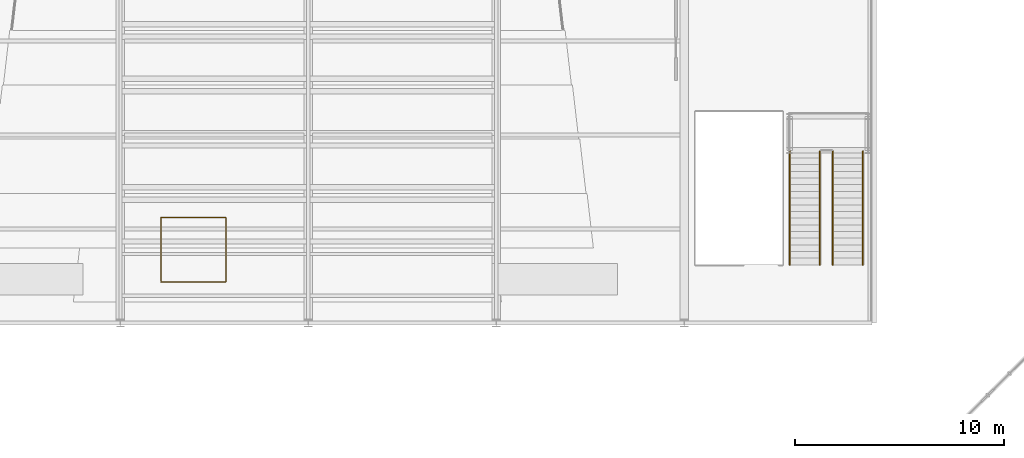
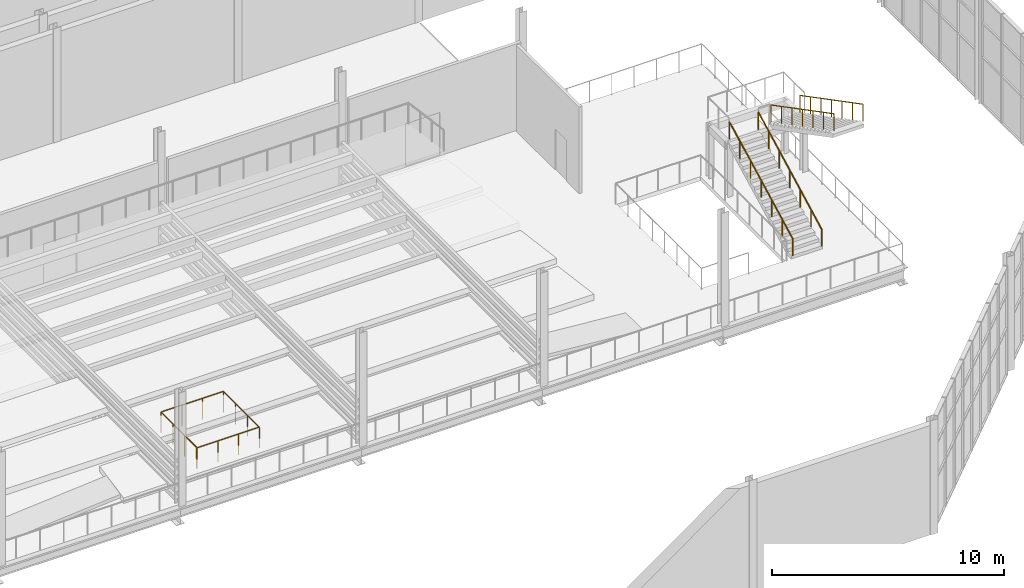
# One storey, part 139 of 159: 5 railings.
"""IFC4 building model written with IfcOpenShell, lengths in metres."""

import ifcopenshell
import ifcopenshell.guid

model = None  # the IFC model being written
_history = None  # IfcOwnerHistory: only IFC2X3 demands one
_inside = {}  # id of a spatial element -> (the spatial element, [elements in it])
_under = {}  # id of a project, library or spatial element -> (it, [spatial elements below it])
_declared = {}  # id of a project -> (the project, [libraries it declares])
_typed = {}  # id of a type object -> (the type object, [elements of that type])
_made_of = {}  # id of a material, layer set ... -> (it, [elements and type objects made of it])


def new_model(schema):
    """Start an empty IFC model of exactly this schema.

    Asked for "IFC4X3", IfcOpenShell would pick the latest addendum, in which some entities
    have other attributes; the version numbers below select the first issue.
    IFC2X3 requires an IfcOwnerHistory on every rooted entity: one is made here for all.
    """
    global model, _history
    if schema == "IFC4X3":
        model = ifcopenshell.file(schema_version=(4, 3, 0, 0))
    else:
        model = ifcopenshell.file(schema=schema)
    _inside.clear()
    _under.clear()
    _declared.clear()
    _typed.clear()
    _made_of.clear()
    _history = None
    if model.schema == "IFC2X3":
        org = make("IfcOrganization", Name="unknown")
        user = make(
            "IfcPersonAndOrganization",
            ThePerson=make("IfcPerson", FamilyName="unknown"),
            TheOrganization=org,
        )
        app = make(
            "IfcApplication",
            ApplicationDeveloper=org,
            Version="unknown",
            ApplicationFullName="unknown",
            ApplicationIdentifier="unknown",
        )
        _history = make(
            "IfcOwnerHistory",
            OwningUser=user,
            OwningApplication=app,
            ChangeAction="ADDED",
            CreationDate=0,
        )
    return model


def make(cls, **values):
    """One entity of the class cls with the attributes given. An attribute that is None is left unset."""
    return model.create_entity(
        cls, **{name: value for name, value in values.items() if value is not None}
    )


def rooted(cls, **values):
    """An entity with a GlobalId (a new one), such as an element, a storey or a relation."""
    return make(cls, GlobalId=ifcopenshell.guid.new(), OwnerHistory=_history, **values)


def si_unit(unit_type, name, prefix=None):
    """IfcSIUnit, for example si_unit("LENGTHUNIT", "METRE", prefix="MILLI")."""
    return make("IfcSIUnit", UnitType=unit_type, Prefix=prefix, Name=name)


def assignment(units):
    """IfcUnitAssignment: the units of a project."""
    return None if units is None else make("IfcUnitAssignment", Units=units)


def point(xyz):
    """IfcCartesianPoint."""
    return None if xyz is None else make("IfcCartesianPoint", Coordinates=xyz)


def direction(xyz):
    """IfcDirection."""
    return None if xyz is None else make("IfcDirection", DirectionRatios=xyz)


def frame(location, z_axis=None, x_axis=None):
    """IfcAxis2Placement3D, a coordinate frame: its origin and axes. An axis left out is left unset."""
    return make(
        "IfcAxis2Placement3D",
        Location=point(location),
        Axis=direction(z_axis),
        RefDirection=direction(x_axis),
    )


def frame_2d(location, x_axis=None):
    """IfcAxis2Placement2D, a coordinate frame in the plane: its origin and x axis."""
    return make(
        "IfcAxis2Placement2D", Location=point(location), RefDirection=direction(x_axis)
    )


def origin():
    """The frame at (0, 0, 0) with its axes left unset."""
    return frame((0.0, 0.0, 0.0))


def origin_2d():
    """The frame at (0, 0) in the plane with its x axis left unset."""
    return frame_2d((0.0, 0.0))


def place(relative_to, where):
    """IfcLocalPlacement: puts the frame where relative to a parent placement (None: the world)."""
    return make(
        "IfcLocalPlacement", PlacementRelTo=relative_to, RelativePlacement=where
    )


def context(
    kind, dimensions, precision=None, world=None, true_north=None, identifier=None
):
    """IfcGeometricRepresentationContext, for example the 3D "Model" context."""
    return make(
        "IfcGeometricRepresentationContext",
        ContextIdentifier=identifier,
        ContextType=kind,
        CoordinateSpaceDimension=dimensions,
        Precision=precision,
        WorldCoordinateSystem=world,
        TrueNorth=true_north,
    )


def subcontext(parent, identifier, kind, view, scale=None):
    """IfcGeometricRepresentationSubContext, for example "Body" below "Model"."""
    return make(
        "IfcGeometricRepresentationSubContext",
        ContextIdentifier=identifier,
        ContextType=kind,
        ParentContext=parent,
        TargetScale=scale,
        TargetView=view,
    )


def project(units=None, contexts=None):
    """IfcProject with its units and contexts."""
    return rooted(
        "IfcProject",
        Name="project",
        RepresentationContexts=contexts,
        UnitsInContext=assignment(units),
    )


def spatial(cls, under=None, at=None, **own):
    """A site, building, storey or space (cls), placed at a placement, below another one or the project."""
    s = rooted(cls, ObjectPlacement=at, **own)
    if under is not None:
        _under.setdefault(under.id(), (under, []))[1].append(s)
    return s


def profile(cls, at=None, kind="AREA", **sizes):
    """A parametric profile (cls). Its sizes go by their IFC names, for example OverallWidth=200.0."""
    return make(cls, ProfileType=kind, Position=at, **sizes)


def circle(**sizes):
    """IfcCircleProfileDef."""
    return profile("IfcCircleProfileDef", **sizes)


def extrude(swept, where, along, depth):
    """IfcExtrudedAreaSolid: the profile swept, set in the frame where, extruded along a direction by depth."""
    return make(
        "IfcExtrudedAreaSolid",
        SweptArea=swept,
        Position=where,
        ExtrudedDirection=direction(along),
        Depth=depth,
    )


def shape(context_of_items, identifier, shape_type, items):
    """IfcShapeRepresentation: the items that make up one representation, for example the "Body"."""
    return make(
        "IfcShapeRepresentation",
        ContextOfItems=context_of_items,
        RepresentationIdentifier=identifier,
        RepresentationType=shape_type,
        Items=items,
    )


def material(Name=None, Category=None):
    """IfcMaterial."""
    return make("IfcMaterial", Name=Name, Category=Category)


def made_of(thing, what):
    """Note that an element or type object is made of a material, layer set ...; save() writes the relation."""
    if what is not None:
        _made_of.setdefault(what.id(), (what, []))[1].append(thing)
    return thing


def type_object(cls, material=None, **own):
    """A type object (cls), such as IfcWallType, which elements share."""
    return made_of(rooted(cls, **own), material)


def element(
    cls,
    number,
    at=None,
    inside=None,
    cuts=None,
    type_object=None,
    material=None,
    context=None,
    identifier="Body",
    shape_type=None,
    held_by="IfcProductDefinitionShape",
    body=None,
    shapes=None,
    **own,
):
    """One element of the class cls, such as IfcWall. Its Tag is "e" and its number.

    at: its placement. inside: the storey or other place that contains it. cuts: it is an
    opening in that element (IfcRelVoidsElement). A single representation is given by context,
    identifier, shape_type and body (its items); several are given by shapes. held_by: the class
    of the entity that holds the representations. save() writes the other relations.
    """
    e = rooted(cls, Tag="e%d" % number, ObjectPlacement=at, **own)
    if body is not None:
        shapes = [shape(context, identifier, shape_type, body)]
    if shapes is not None:
        e.Representation = make(held_by, Representations=shapes)
    if inside is not None:
        _inside.setdefault(inside.id(), (inside, []))[1].append(e)
    if cuts is not None:
        rooted(
            "IfcRelVoidsElement", RelatingBuildingElement=cuts, RelatedOpeningElement=e
        )
    if type_object is not None:
        _typed.setdefault(type_object.id(), (type_object, []))[1].append(e)
    return made_of(e, material)


def aggregate(whole, parts):
    """IfcRelAggregates: a whole, such as a stair, and the parts it consists of."""
    return rooted("IfcRelAggregates", RelatingObject=whole, RelatedObjects=parts)


def save(model, path):
    """Write the relations noted so far, then the file.

    IfcRelAggregates (storeys below a building ...), IfcRelContainedInSpatialStructure (elements
    in a storey), IfcRelDefinesByType, IfcRelAssociatesMaterial and IfcRelDeclares: one each for
    every whole, place, type object, material and project.
    """
    for whole, parts in _under.values():
        aggregate(whole, parts)
    for where, things in _inside.values():
        rooted(
            "IfcRelContainedInSpatialStructure",
            RelatedElements=things,
            RelatingStructure=where,
        )
    for kind, things in _typed.values():
        rooted("IfcRelDefinesByType", RelatedObjects=things, RelatingType=kind)
    for what, things in _made_of.values():
        rooted("IfcRelAssociatesMaterial", RelatedObjects=things, RelatingMaterial=what)
    for by, libraries in _declared.values():
        rooted("IfcRelDeclares", RelatingContext=by, RelatedDefinitions=libraries)
    model.write(path)


model = new_model("IFC4")

# Units and contexts
model_context = context("Model", 3, precision=1e-05, world=origin(), true_north=direction((0.0, 1.0)))
body_context = subcontext(model_context, "Body", "Model", "MODEL_VIEW")
ifc_project = project(units=[si_unit("LENGTHUNIT", "METRE"), si_unit("AREAUNIT", "SQUARE_METRE"), si_unit("VOLUMEUNIT", "CUBIC_METRE"), si_unit("PLANEANGLEUNIT", "RADIAN"), si_unit("MASSUNIT", "GRAM", prefix="KILO")], contexts=[model_context])

# Site, building, storey
site_placement = place(None, origin())
site = spatial("IfcSite", under=ifc_project, at=site_placement, CompositionType="ELEMENT")
building_placement = place(site_placement, origin())
building = spatial("IfcBuilding", under=site, at=building_placement, Name="Cazmaro Siding Exhibition Halls", CompositionType="ELEMENT")
storey_placement = place(building_placement, frame((0.0, 0.0, 6.0)))
storey = spatial("IfcBuildingStorey", under=building, at=storey_placement, Name="L01", CompositionType="ELEMENT", Elevation=6.0)

# Railings
ifc_material_1 = material(Name="Interior Laminated Glass and Brushed Stainless Steel Balustrade", Category="steel")
railing_type_1 = type_object("IfcRailingType", Name="RL-BAL-02", PredefinedType="BALUSTRADE", material=ifc_material_1)
railing_1_placement = place(storey_placement, frame((19.949951171875, 28.949951171875, 0.0)))
element("IfcRailing", 1, at=railing_1_placement, inside=storey, type_object=railing_type_1, Name="Congress Vomitory Well Guard RL-BAL-02 RL-G058", PredefinedType="BALUSTRADE", context=body_context, shape_type="SweptSolid", body=[
    extrude(circle(Radius=0.02392578125, at=origin_2d()), frame((0.0, 0.0, 1.09619140625), z_axis=(1.0, 0.0, 0.0), x_axis=(0.0, 1.0, 0.0)), (0.0, 0.0, 1.0), 3.10009765625),
    extrude(circle(Radius=0.02392578125, at=origin_2d()), frame((3.10009765625, 0.0, 1.09619140625), z_axis=(0.0, 1.0, 0.0), x_axis=(-1.0, 0.0, 0.0)), (0.0, 0.0, 1.0), 3.10009765625),
    extrude(circle(Radius=0.02392578125, at=origin_2d()), frame((3.10009765625, 3.10009765625, 1.09619140625), z_axis=(-1.0, 0.0, 0.0), x_axis=(0.0, -1.0, 0.0)), (0.0, 0.0, 1.0), 3.10009765625),
    extrude(circle(Radius=0.02392578125, at=origin_2d()), frame((0.0, 3.10009765625, 1.09619140625), z_axis=(0.0, -1.0, 0.0), x_axis=(1.0, 0.0, 0.0)), (0.0, 0.0, 1.0), 3.0400390625),
    extrude(circle(Radius=0.02099609375, at=origin_2d()), origin(), (0.0, 0.0, 1.0), 1.072021484375),
    extrude(circle(Radius=0.02099609375, at=origin_2d()), frame((1.033447265625, 0.0, 0.0)), (0.0, 0.0, 1.0), 1.072021484375),
    extrude(circle(Radius=0.02099609375, at=origin_2d()), frame((2.066650390625, 0.0, 0.0)), (0.0, 0.0, 1.0), 1.072021484375),
    extrude(circle(Radius=0.02099609375, at=origin_2d()), frame((3.10009765625, 0.0, 0.0)), (0.0, 0.0, 1.0), 1.072021484375),
    extrude(circle(Radius=0.02099609375, at=origin_2d()), frame((3.10009765625, 1.033447265625, 0.0)), (0.0, 0.0, 1.0), 1.072021484375),
    extrude(circle(Radius=0.02099609375, at=origin_2d()), frame((3.10009765625, 2.066650390625, 0.0)), (0.0, 0.0, 1.0), 1.072021484375),
    extrude(circle(Radius=0.02099609375, at=origin_2d()), frame((3.10009765625, 3.10009765625, 0.0)), (0.0, 0.0, 1.0), 1.072021484375),
    extrude(circle(Radius=0.02099609375, at=origin_2d()), frame((2.066650390625, 3.10009765625, 0.0)), (0.0, 0.0, 1.0), 1.072021484375),
    extrude(circle(Radius=0.02099609375, at=origin_2d()), frame((1.033447265625, 3.10009765625, 0.0)), (0.0, 0.0, 1.0), 1.072021484375),
    extrude(circle(Radius=0.02099609375, at=origin_2d()), frame((0.0, 3.10009765625, 0.0)), (0.0, 0.0, 1.0), 1.072021484375),
    extrude(circle(Radius=0.02099609375, at=origin_2d()), frame((0.0, 2.086669921875, 0.0)), (0.0, 0.0, 1.0), 1.072021484375),
    extrude(circle(Radius=0.02099609375, at=origin_2d()), frame((0.0, 1.073486328125, 0.0)), (0.0, 0.0, 1.0), 1.072021484375),
    extrude(circle(Radius=0.02099609375, at=origin_2d()), frame((0.0, 0.06005859375, 0.0)), (0.0, 0.0, 1.0), 1.072021484375),
])
ifc_material_2 = material(Name="Brushed Stainless Steel Tubular Handrail", Category="steel")
railing_type_2 = type_object("IfcRailingType", Name="RL-HR-01", PredefinedType="HANDRAIL", material=ifc_material_2)
railing_2_placement = place(storey_placement, frame((50.06005859375, 29.780029296875, 0.1669921875)))
element("IfcRailing", 2, at=railing_2_placement, inside=storey, type_object=railing_type_2, Name="ST-27 Flight 1 Handrail 1", PredefinedType="HANDRAIL", context=body_context, shape_type="SweptSolid", body=[
    extrude(circle(Radius=0.02392578125, at=origin_2d()), frame((0.0, 0.0, 0.89599609375), z_axis=(0.0, 0.886933788778, 0.461896584013), x_axis=(-1.0, 0.0, 0.0)), (0.0, 0.0, 1.0), 6.133544921875),
    extrude(circle(Radius=0.02099609375, at=origin_2d()), origin(), (0.0, 0.0, 1.0), 0.871826171875),
    extrude(circle(Radius=0.02099609375, at=origin_2d()), frame((0.0, 0.90673828125, 0.47216796875)), (0.0, 0.0, 1.0), 0.871826171875),
    extrude(circle(Radius=0.02099609375, at=origin_2d()), frame((0.0, 1.813232421875, 0.9443359375)), (0.0, 0.0, 1.0), 0.871826171875),
    extrude(circle(Radius=0.02099609375, at=origin_2d()), frame((0.0, 2.719970703125, 1.41650390625)), (0.0, 0.0, 1.0), 0.871826171875),
    extrude(circle(Radius=0.02099609375, at=origin_2d()), frame((0.0, 3.626708984375, 1.888671875)), (0.0, 0.0, 1.0), 0.871826171875),
    extrude(circle(Radius=0.02099609375, at=origin_2d()), frame((0.0, 4.533203125, 2.36083984375)), (0.0, 0.0, 1.0), 0.871826171875),
    extrude(circle(Radius=0.02099609375, at=origin_2d()), frame((0.0, 5.43994140625, 2.8330078125)), (0.0, 0.0, 1.0), 0.871826171875),
])
railing_3_placement = place(storey_placement, frame((52.1201171875, 35.219970703125, 3.1669921875)))
element("IfcRailing", 3, at=railing_3_placement, inside=storey, type_object=railing_type_2, Name="ST-27 Flight 2 Handrail 1", PredefinedType="HANDRAIL", context=body_context, shape_type="SweptSolid", body=[
    extrude(circle(Radius=0.02392578125, at=origin_2d()), frame((0.0, 0.0, 0.89599609375), z_axis=(0.0, -0.886933788778, 0.461896584013), x_axis=(1.0, 0.0, 0.0)), (0.0, 0.0, 1.0), 6.133544921875),
    extrude(circle(Radius=0.02099609375, at=origin_2d()), origin(), (0.0, 0.0, 1.0), 0.871826171875),
    extrude(circle(Radius=0.02099609375, at=origin_2d()), frame((0.0, -0.90673828125, 0.47216796875)), (0.0, 0.0, 1.0), 0.871826171875),
    extrude(circle(Radius=0.02099609375, at=origin_2d()), frame((0.0, -1.813232421875, 0.9443359375)), (0.0, 0.0, 1.0), 0.871826171875),
    extrude(circle(Radius=0.02099609375, at=origin_2d()), frame((0.0, -2.719970703125, 1.41650390625)), (0.0, 0.0, 1.0), 0.871826171875),
    extrude(circle(Radius=0.02099609375, at=origin_2d()), frame((0.0, -3.626708984375, 1.888671875)), (0.0, 0.0, 1.0), 0.871826171875),
    extrude(circle(Radius=0.02099609375, at=origin_2d()), frame((0.0, -4.533203125, 2.36083984375)), (0.0, 0.0, 1.0), 0.871826171875),
    extrude(circle(Radius=0.02099609375, at=origin_2d()), frame((0.0, -5.43994140625, 2.8330078125)), (0.0, 0.0, 1.0), 0.871826171875),
])
railing_4_placement = place(storey_placement, frame((51.5, 29.780029296875, 0.1669921875)))
element("IfcRailing", 4, at=railing_4_placement, inside=storey, type_object=railing_type_2, Name="ST-27 Flight 1 Handrail 2", PredefinedType="HANDRAIL", context=body_context, shape_type="SweptSolid", body=[
    extrude(circle(Radius=0.02392578125, at=origin_2d()), frame((0.0, 0.0, 0.89599609375), z_axis=(0.0, 0.886933788778, 0.461896584013), x_axis=(-1.0, 0.0, 0.0)), (0.0, 0.0, 1.0), 6.133544921875),
    extrude(circle(Radius=0.02099609375, at=origin_2d()), origin(), (0.0, 0.0, 1.0), 0.871826171875),
    extrude(circle(Radius=0.02099609375, at=origin_2d()), frame((0.0, 0.90673828125, 0.47216796875)), (0.0, 0.0, 1.0), 0.871826171875),
    extrude(circle(Radius=0.02099609375, at=origin_2d()), frame((0.0, 1.813232421875, 0.9443359375)), (0.0, 0.0, 1.0), 0.871826171875),
    extrude(circle(Radius=0.02099609375, at=origin_2d()), frame((0.0, 2.719970703125, 1.41650390625)), (0.0, 0.0, 1.0), 0.871826171875),
    extrude(circle(Radius=0.02099609375, at=origin_2d()), frame((0.0, 3.626708984375, 1.888671875)), (0.0, 0.0, 1.0), 0.871826171875),
    extrude(circle(Radius=0.02099609375, at=origin_2d()), frame((0.0, 4.533203125, 2.36083984375)), (0.0, 0.0, 1.0), 0.871826171875),
    extrude(circle(Radius=0.02099609375, at=origin_2d()), frame((0.0, 5.43994140625, 2.8330078125)), (0.0, 0.0, 1.0), 0.871826171875),
])
railing_5_placement = place(storey_placement, frame((53.56005859375, 35.219970703125, 3.1669921875)))
element("IfcRailing", 5, at=railing_5_placement, inside=storey, type_object=railing_type_2, Name="ST-27 Flight 2 Handrail 2", PredefinedType="HANDRAIL", context=body_context, shape_type="SweptSolid", body=[
    extrude(circle(Radius=0.02392578125, at=origin_2d()), frame((0.0, 0.0, 0.89599609375), z_axis=(0.0, -0.886933788778, 0.461896584013), x_axis=(1.0, 0.0, 0.0)), (0.0, 0.0, 1.0), 6.133544921875),
    extrude(circle(Radius=0.02099609375, at=origin_2d()), origin(), (0.0, 0.0, 1.0), 0.871826171875),
    extrude(circle(Radius=0.02099609375, at=origin_2d()), frame((0.0, -0.90673828125, 0.47216796875)), (0.0, 0.0, 1.0), 0.871826171875),
    extrude(circle(Radius=0.02099609375, at=origin_2d()), frame((0.0, -1.813232421875, 0.9443359375)), (0.0, 0.0, 1.0), 0.871826171875),
    extrude(circle(Radius=0.02099609375, at=origin_2d()), frame((0.0, -2.719970703125, 1.41650390625)), (0.0, 0.0, 1.0), 0.871826171875),
    extrude(circle(Radius=0.02099609375, at=origin_2d()), frame((0.0, -3.626708984375, 1.888671875)), (0.0, 0.0, 1.0), 0.871826171875),
    extrude(circle(Radius=0.02099609375, at=origin_2d()), frame((0.0, -4.533203125, 2.36083984375)), (0.0, 0.0, 1.0), 0.871826171875),
    extrude(circle(Radius=0.02099609375, at=origin_2d()), frame((0.0, -5.43994140625, 2.8330078125)), (0.0, 0.0, 1.0), 0.871826171875),
])

save(model, "model.ifc")
